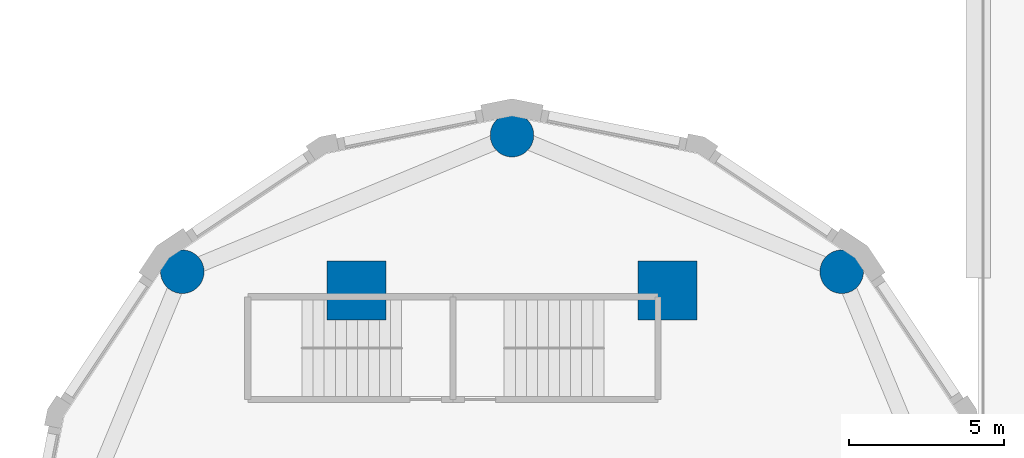
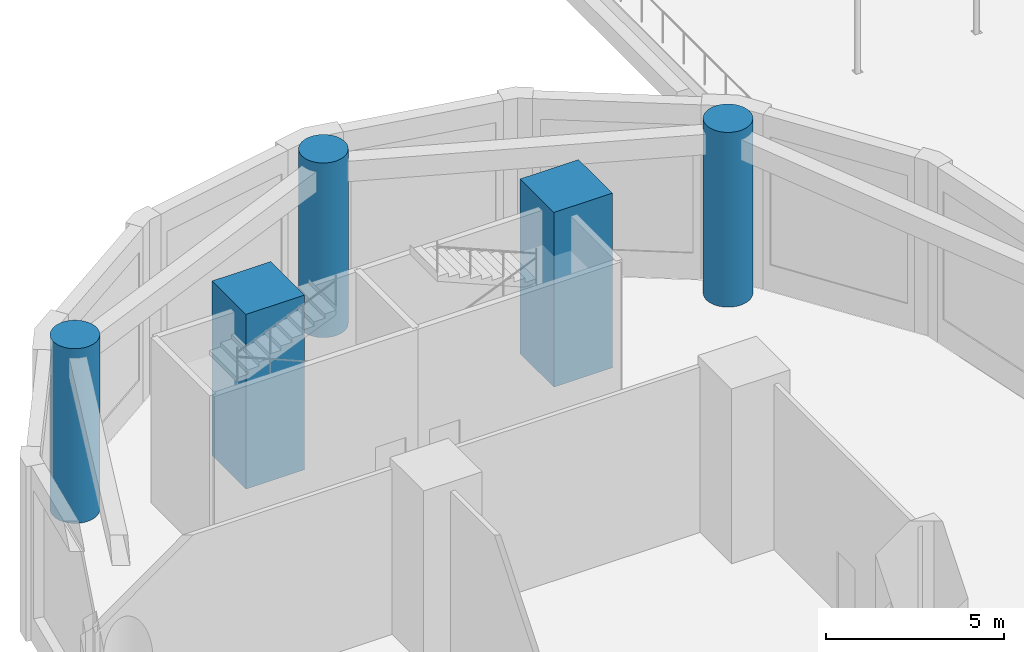
# One storey, part 3 of 28: 5 columns.
"""IFC4 building model written with IfcOpenShell, lengths in metres."""

from ifc_helpers import new_model, si_unit, direction, frame, origin, origin_2d, place, context, subcontext, project, spatial, rectangle, circle, extrude, material, material_profile, profile_set, type_object, element, save


model = new_model("IFC4")

# Units and contexts
model_context = context("Model", 3, precision=1e-05, world=origin(), true_north=direction((0.0, 1.0)))
body_context = subcontext(model_context, "Body", "Model", "MODEL_VIEW")
ifc_project = project(units=[si_unit("LENGTHUNIT", "METRE"), si_unit("AREAUNIT", "SQUARE_METRE"), si_unit("VOLUMEUNIT", "CUBIC_METRE"), si_unit("PLANEANGLEUNIT", "RADIAN"), si_unit("MASSUNIT", "GRAM", prefix="KILO")], contexts=[model_context])

# Site, building, storey
site_placement = place(None, origin())
site = spatial("IfcSite", under=ifc_project, at=site_placement, CompositionType="ELEMENT")
building_placement = place(site_placement, origin())
building = spatial("IfcBuilding", under=site, at=building_placement, Name="Qaws Garden Tower", CompositionType="ELEMENT")
storey_placement = place(building_placement, frame((0.0, 0.0, 6.0)))
storey = spatial("IfcBuildingStorey", under=building, at=storey_placement, Name="L01", CompositionType="ELEMENT", Elevation=6.0)

# Columns
ifc_material_1 = material(Name="Concrete C80", Category="concrete")
ifc_material_profile_1 = material_profile(ifc_material_1, rectangle(XDim=1.89990234375, YDim=1.89990234375, at=origin_2d()), Name="RC 1900x1900")
ifc_profile_set_1 = profile_set([ifc_material_profile_1], Name="Concrete C80")
column_type_1 = type_object("IfcColumnType", Name="Column RC 1900x1900 C80", PredefinedType="COLUMN", material=ifc_profile_set_1)
for number, where, z_axis, x_axis, name in (
    (1, (10.0, 70.0, 0.0), (0.0, 0.0, 1.0), (1.0, 0.0, 0.0), "Column L01-031"),
    (2, (20.0, 70.0, 0.0), (0.0, 0.0, 1.0), (1.0, 0.0, 0.0), "Column L01-036"),
):
    element("IfcColumn", number, at=place(storey_placement, frame(where, z_axis=z_axis, x_axis=x_axis)), inside=storey, type_object=column_type_1, Name=name, PredefinedType="COLUMN", context=body_context, shape_type="SweptSolid", body=[
        extrude(rectangle(XDim=1.89990234375, YDim=1.89990234375, at=origin_2d()), origin(), (0.0, 0.0, 1.0), 6.0),
    ])
ifc_material_2 = material(Name="Concrete C80", Category="concrete")
ifc_material_profile_2 = material_profile(ifc_material_2, circle(Radius=0.699951171875, at=origin_2d()), Name="RC D1400")
ifc_profile_set_2 = profile_set([ifc_material_profile_2], Name="Concrete C80")
column_type_2 = type_object("IfcColumnType", Name="Column RC D1400 C80", PredefinedType="COLUMN", material=ifc_profile_set_2)
for number, where, z_axis, x_axis, name in (
    (3, (25.606689453125, 70.606689453125, 0.0), (0.0, 0.0, 1.0), (1.0, 0.0, 0.0), "Column L01-017"),
    (4, (15.0, 75.0, 0.0), (0.0, 0.0, 1.0), (1.0, 0.0, 0.0), "Column L01-018"),
    (5, (4.393310546875, 70.606689453125, 0.0), (0.0, 0.0, 1.0), (1.0, 0.0, 0.0), "Column L01-019"),
):
    element("IfcColumn", number, at=place(storey_placement, frame(where, z_axis=z_axis, x_axis=x_axis)), inside=storey, type_object=column_type_2, Name=name, PredefinedType="COLUMN", context=body_context, shape_type="SweptSolid", body=[
        extrude(circle(Radius=0.699951171875, at=origin_2d()), origin(), (0.0, 0.0, 1.0), 6.0),
    ])

save(model, "model.ifc")
